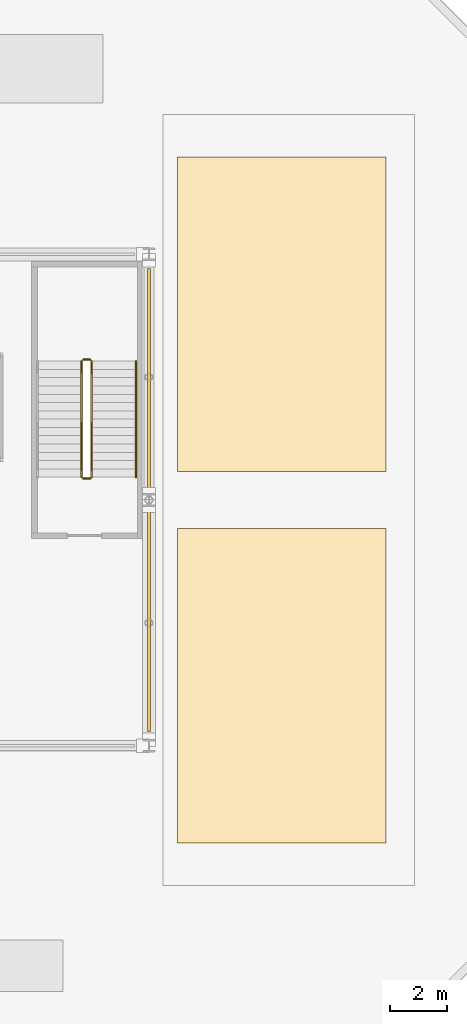
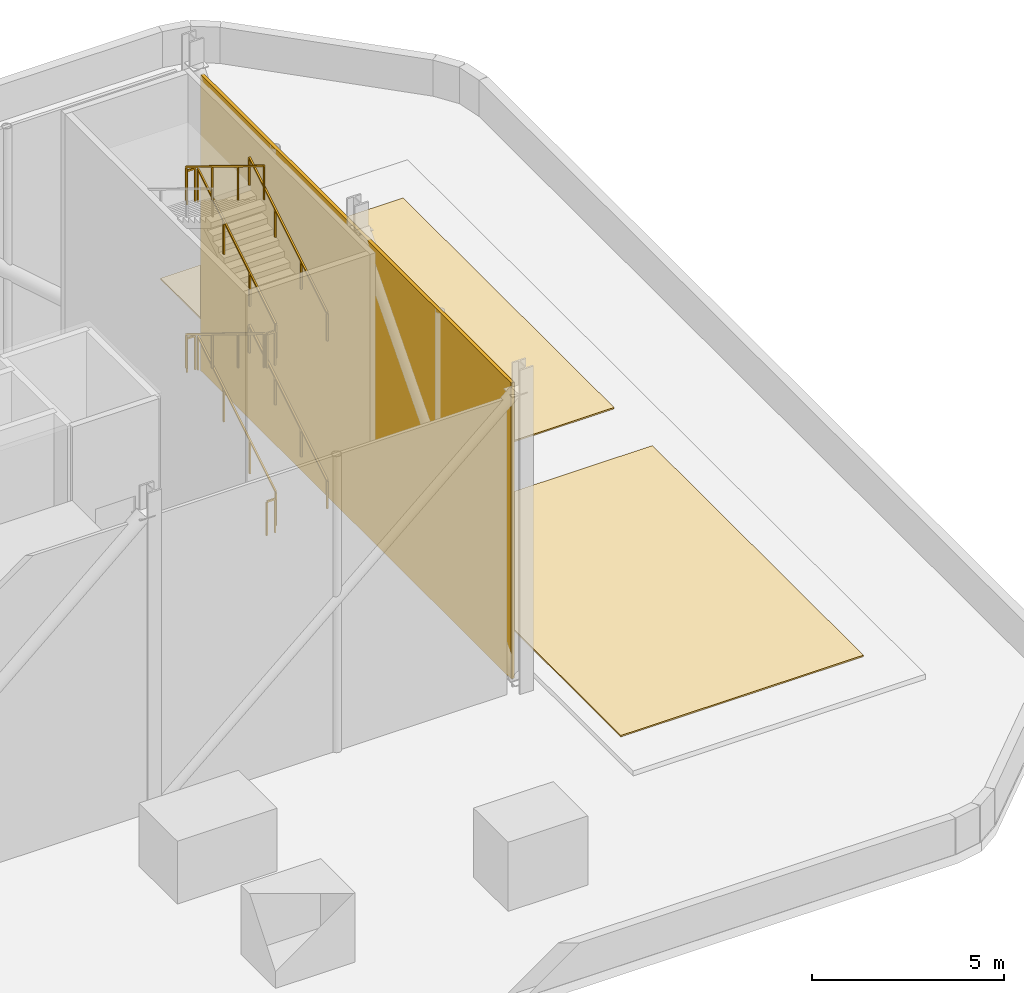
# One storey, part 5 of 6: 10 railings, 2 coverings, 1 shading device.
"""IFC4 building model written with IfcOpenShell, lengths in metres."""

from ifc_helpers import new_model, si_unit, derived_unit, direction, frame, origin, origin_2d, place, context, subcontext, project, spatial, polyline, rectangle, outline, extrude, material, layer, layer_set, type_object, element, save


model = new_model("IFC4")

# Units and contexts
model_context = context("Model", 3, precision=1e-05, world=origin(), true_north=direction((0.0, 1.0)))
body_context = subcontext(model_context, "Body", "Model", "MODEL_VIEW")
ifc_project = project(units=[si_unit("LENGTHUNIT", "METRE"), si_unit("AREAUNIT", "SQUARE_METRE"), si_unit("VOLUMEUNIT", "CUBIC_METRE"), si_unit("PLANEANGLEUNIT", "RADIAN"), si_unit("MASSUNIT", "GRAM", prefix="KILO"), derived_unit("THERMALTRANSMITTANCEUNIT", [(si_unit("POWERUNIT", "WATT"), 1), (si_unit("LENGTHUNIT", "METRE"), -2), (si_unit("THERMODYNAMICTEMPERATUREUNIT", "KELVIN"), -1)])], contexts=[model_context])

# Site, building, storey
site_placement = place(None, origin())
site = spatial("IfcSite", under=ifc_project, at=site_placement, CompositionType="ELEMENT")
building_placement = place(site_placement, origin())
building = spatial("IfcBuilding", under=site, at=building_placement, Name="Koralith Skygarden Medical Center", CompositionType="ELEMENT")
storey_placement = place(building_placement, frame((0.0, 0.0, 298.97998046875)))
storey = spatial("IfcBuildingStorey", under=building, at=storey_placement, Name="RF", CompositionType="ELEMENT", Elevation=298.97998046875)

# Coverings
ifc_material_1 = material(Name="EPDM Membrane Roofing")
ifc_layer_1 = layer(ifc_material_1, 0.044921875)
ifc_layer_set_1 = layer_set([ifc_layer_1], Name="EPDM Membrane Roofing")
covering_type = type_object("IfcCoveringType", Name="Crown Inverted Membrane Roofing 45", PredefinedType="ROOFING", material=ifc_layer_set_1)
covering_1_placement = place(storey_placement, frame((0.0, 0.0, 0.159912109375)))
element("IfcCovering", 1, at=covering_1_placement, inside=storey, type_object=covering_type, Name="RF Crown Membrane Roofing Sector 2-1", PredefinedType="ROOFING", context=body_context, shape_type="SweptSolid", body=[
    extrude(outline(polyline([(49.199951171875, 13.89990234375), (56.5, 13.89990234375), (56.5, 24.89990234375), (49.199951171875, 24.89990234375), (49.199951171875, 13.89990234375)])), origin(), (0.0, 0.0, 1.0), 0.045166015625),
])
covering_2_placement = place(storey_placement, frame((0.0, 0.0, 0.159912109375)))
element("IfcCovering", 2, at=covering_2_placement, inside=storey, type_object=covering_type, Name="RF Crown Membrane Roofing Sector 2-2", PredefinedType="ROOFING", context=body_context, shape_type="SweptSolid", body=[
    extrude(outline(polyline([(49.199951171875, 26.89990234375), (56.5, 26.89990234375), (56.5, 37.89990234375), (49.199951171875, 37.89990234375), (49.199951171875, 26.89990234375)])), origin(), (0.0, 0.0, 1.0), 0.045166015625),
])

# Shading device
ifc_material_2 = material(Name="Aluminium 6063-T6", Category="aluminium")
ifc_layer_2 = layer(ifc_material_2, 0.10009765625)
ifc_layer_set_2 = layer_set([ifc_layer_2], Name="Aluminium 6063-T6")
shading_device_type = type_object("IfcShadingDeviceType", Name="Crown Mechanical Enclosure Screen Panel", PredefinedType="USERDEFINED", material=ifc_layer_set_2)
shading_device_placement = place(storey_placement, frame((48.199951171875, 25.89990234375, 0.0), z_axis=(0.0, 0.0, 1.0), x_axis=(0.0, 1.0, 0.0)))
element("IfcShadingDevice", 3, at=shading_device_placement, inside=storey, type_object=shading_device_type, Name="RF Crown Mechanical Screen E", ObjectType="PLANT SCREEN", PredefinedType="USERDEFINED", context=body_context, shape_type="SweptSolid", body=[
    extrude(rectangle(XDim=16.199951171875, YDim=0.10009765625, at=origin_2d()), origin(), (0.0, 0.0, 1.0), 9.419921875),
])

# Railings
ifc_material_3 = material(Name="Steel ASTM A500 Grade C", Category="steel")
railing_type_1 = type_object("IfcRailingType", Name="Stair Flight Tubular Handrail 920", PredefinedType="HANDRAIL", material=ifc_material_3)
railing_1_placement = place(storey_placement, frame((47.75, 26.699951171875, 0.177734375)))
element("IfcRailing", 4, at=railing_1_placement, inside=storey, type_object=railing_type_1, Name="RF ST2 stair handrail 1", PredefinedType="HANDRAIL", context=body_context, shape_type="SweptSolid", body=[
    extrude(rectangle(XDim=0.050048828125, YDim=0.050048828125, at=origin_2d()), frame((0.0, 0.001708984375, 0.89599609375), z_axis=(0.0, 0.852477456588, 0.522763986909), x_axis=(-1.0, 0.0, 0.0)), (0.0, 0.0, 1.0), 4.758544921875),
    extrude(rectangle(XDim=0.0419921875, YDim=0.0419921875, at=origin_2d()), origin(), (0.0, 0.0, 1.0), 0.867919921875),
    extrude(rectangle(XDim=0.0419921875, YDim=0.0419921875, at=origin_2d()), frame((0.0, 1.353271484375, 0.829833984375)), (0.0, 0.0, 1.0), 0.867919921875),
    extrude(rectangle(XDim=0.0419921875, YDim=0.0419921875, at=origin_2d()), frame((0.0, 2.706787109375, 1.659912109375)), (0.0, 0.0, 1.0), 0.867919921875),
    extrude(rectangle(XDim=0.0419921875, YDim=0.0419921875, at=origin_2d()), frame((0.0, 4.06005859375, 2.48974609375)), (0.0, 0.0, 1.0), 0.867919921875),
])
railing_2_placement = place(storey_placement, frame((47.75, 26.699951171875, 5.512939453125)))
element("IfcRailing", 5, at=railing_2_placement, inside=storey, type_object=railing_type_1, Name="RF ST2 stair handrail 3", PredefinedType="HANDRAIL", context=body_context, shape_type="SweptSolid", body=[
    extrude(rectangle(XDim=0.050048828125, YDim=0.050048828125, at=origin_2d()), frame((0.0, 0.001708984375, 0.89599609375), z_axis=(0.0, 0.852500300758, 0.522726732822), x_axis=(-1.0, 0.0, 0.0)), (0.0, 0.0, 1.0), 4.758544921875),
    extrude(rectangle(XDim=0.0419921875, YDim=0.0419921875, at=origin_2d()), origin(), (0.0, 0.0, 1.0), 0.867919921875),
    extrude(rectangle(XDim=0.0419921875, YDim=0.0419921875, at=origin_2d()), frame((0.0, 1.353271484375, 0.829833984375)), (0.0, 0.0, 1.0), 0.867919921875),
    extrude(rectangle(XDim=0.0419921875, YDim=0.0419921875, at=origin_2d()), frame((0.0, 2.706787109375, 1.65966796875)), (0.0, 0.0, 1.0), 0.867919921875),
    extrude(rectangle(XDim=0.0419921875, YDim=0.0419921875, at=origin_2d()), frame((0.0, 4.06005859375, 2.489501953125)), (0.0, 0.0, 1.0), 0.867919921875),
])
railing_type_2 = type_object("IfcRailingType", Name="Stair Well Safety Guardrail 1100", PredefinedType="GUARDRAIL", material=ifc_material_3)
railing_3_placement = place(storey_placement, frame((46.199951171875, 26.699951171875, 0.177734375)))
element("IfcRailing", 6, at=railing_3_placement, inside=storey, type_object=railing_type_2, Name="RF ST2 stair guard 1", PredefinedType="GUARDRAIL", context=body_context, shape_type="SweptSolid", body=[
    extrude(rectangle(XDim=0.050048828125, YDim=0.050048828125, at=origin_2d()), frame((0.0, 0.001708984375, 1.076171875), z_axis=(0.0, 0.852477456588, 0.522763986909), x_axis=(-1.0, 0.0, 0.0)), (0.0, 0.0, 1.0), 4.758544921875),
    extrude(rectangle(XDim=0.0419921875, YDim=0.0419921875, at=origin_2d()), origin(), (0.0, 0.0, 1.0), 1.048095703125),
    extrude(rectangle(XDim=0.0419921875, YDim=0.0419921875, at=origin_2d()), frame((0.0, 1.353271484375, 0.829833984375)), (0.0, 0.0, 1.0), 1.048095703125),
    extrude(rectangle(XDim=0.0419921875, YDim=0.0419921875, at=origin_2d()), frame((0.0, 2.706787109375, 1.659912109375)), (0.0, 0.0, 1.0), 1.048095703125),
    extrude(rectangle(XDim=0.0419921875, YDim=0.0419921875, at=origin_2d()), frame((0.0, 4.06005859375, 2.48974609375)), (0.0, 0.0, 1.0), 1.048095703125),
])
railing_4_placement = place(storey_placement, frame((46.14990234375, 30.81005859375, 2.66748046875)))
element("IfcRailing", 7, at=railing_4_placement, inside=storey, type_object=railing_type_2, Name="RF ST2 stair guard 2", PredefinedType="GUARDRAIL", context=body_context, shape_type="SweptSolid", body=[
    extrude(rectangle(XDim=0.050048828125, YDim=0.050048828125, at=origin_2d()), frame((-0.001953125, 0.0, 1.0751953125), z_axis=(-1.0, 0.0, 0.0), x_axis=(0.0, -1.0, 0.0)), (0.0, 0.0, 1.0), 0.24609375),
    extrude(rectangle(XDim=0.0419921875, YDim=0.0419921875, at=origin_2d()), origin(), (0.0, 0.0, 1.0), 1.048095703125),
    extrude(rectangle(XDim=0.0419921875, YDim=0.0419921875, at=origin_2d()), frame((-0.25, 0.0, 0.0)), (0.0, 0.0, 1.0), 1.048095703125),
])
railing_5_placement = place(storey_placement, frame((45.85009765625, 30.760009765625, 2.845458984375)))
element("IfcRailing", 8, at=railing_5_placement, inside=storey, type_object=railing_type_2, Name="RF ST2 stair guard 3", PredefinedType="GUARDRAIL", context=body_context, shape_type="SweptSolid", body=[
    extrude(rectangle(XDim=0.050048828125, YDim=0.050048828125, at=origin_2d()), frame((0.0, -0.001708984375, 1.076171875), z_axis=(0.0, -0.852500300758, 0.522726732822), x_axis=(1.0, 0.0, 0.0)), (0.0, 0.0, 1.0), 4.758544921875),
    extrude(rectangle(XDim=0.0419921875, YDim=0.0419921875, at=origin_2d()), origin(), (0.0, 0.0, 1.0), 1.048095703125),
    extrude(rectangle(XDim=0.0419921875, YDim=0.0419921875, at=origin_2d()), frame((0.0, -1.353271484375, 0.829833984375)), (0.0, 0.0, 1.0), 1.048095703125),
    extrude(rectangle(XDim=0.0419921875, YDim=0.0419921875, at=origin_2d()), frame((0.0, -2.706787109375, 1.65966796875)), (0.0, 0.0, 1.0), 1.048095703125),
    extrude(rectangle(XDim=0.0419921875, YDim=0.0419921875, at=origin_2d()), frame((0.0, -4.06005859375, 2.489501953125)), (0.0, 0.0, 1.0), 1.048095703125),
])
railing_6_placement = place(storey_placement, frame((46.14990234375, 26.64990234375, 5.3349609375)))
element("IfcRailing", 9, at=railing_6_placement, inside=storey, type_object=railing_type_2, Name="RF ST2 stair guard 4", PredefinedType="GUARDRAIL", context=body_context, shape_type="SweptSolid", body=[
    extrude(rectangle(XDim=0.050048828125, YDim=0.050048828125, at=origin_2d()), frame((-0.001953125, 0.0, 1.0751953125), z_axis=(-1.0, 0.0, 0.0), x_axis=(0.0, -1.0, 0.0)), (0.0, 0.0, 1.0), 0.24609375),
    extrude(rectangle(XDim=0.0419921875, YDim=0.0419921875, at=origin_2d()), origin(), (0.0, 0.0, 1.0), 1.048095703125),
    extrude(rectangle(XDim=0.0419921875, YDim=0.0419921875, at=origin_2d()), frame((-0.25, 0.0, 0.0)), (0.0, 0.0, 1.0), 1.048095703125),
])
railing_7_placement = place(storey_placement, frame((46.199951171875, 26.699951171875, 5.512939453125)))
element("IfcRailing", 10, at=railing_7_placement, inside=storey, type_object=railing_type_2, Name="RF ST2 stair guard 5", PredefinedType="GUARDRAIL", context=body_context, shape_type="SweptSolid", body=[
    extrude(rectangle(XDim=0.050048828125, YDim=0.050048828125, at=origin_2d()), frame((0.0, 0.001708984375, 1.076171875), z_axis=(0.0, 0.852500300758, 0.522726732822), x_axis=(-1.0, 0.0, 0.0)), (0.0, 0.0, 1.0), 4.758544921875),
    extrude(rectangle(XDim=0.0419921875, YDim=0.0419921875, at=origin_2d()), origin(), (0.0, 0.0, 1.0), 1.048095703125),
    extrude(rectangle(XDim=0.0419921875, YDim=0.0419921875, at=origin_2d()), frame((0.0, 1.353271484375, 0.829833984375)), (0.0, 0.0, 1.0), 1.048095703125),
    extrude(rectangle(XDim=0.0419921875, YDim=0.0419921875, at=origin_2d()), frame((0.0, 2.706787109375, 1.65966796875)), (0.0, 0.0, 1.0), 1.048095703125),
    extrude(rectangle(XDim=0.0419921875, YDim=0.0419921875, at=origin_2d()), frame((0.0, 4.06005859375, 2.489501953125)), (0.0, 0.0, 1.0), 1.048095703125),
])
railing_8_placement = place(storey_placement, frame((46.14990234375, 30.81005859375, 8.00244140625)))
element("IfcRailing", 11, at=railing_8_placement, inside=storey, type_object=railing_type_2, Name="RF ST2 stair guard 6", PredefinedType="GUARDRAIL", context=body_context, shape_type="SweptSolid", body=[
    extrude(rectangle(XDim=0.050048828125, YDim=0.050048828125, at=origin_2d()), frame((-0.001953125, 0.0, 1.0751953125), z_axis=(-1.0, 0.0, 0.0), x_axis=(0.0, -1.0, 0.0)), (0.0, 0.0, 1.0), 0.24609375),
    extrude(rectangle(XDim=0.0419921875, YDim=0.0419921875, at=origin_2d()), origin(), (0.0, 0.0, 1.0), 1.048095703125),
    extrude(rectangle(XDim=0.0419921875, YDim=0.0419921875, at=origin_2d()), frame((-0.25, 0.0, 0.0)), (0.0, 0.0, 1.0), 1.048095703125),
])
railing_9_placement = place(storey_placement, frame((45.85009765625, 30.760009765625, 8.180419921875)))
element("IfcRailing", 12, at=railing_9_placement, inside=storey, type_object=railing_type_2, Name="RF ST2 stair guard 7", PredefinedType="GUARDRAIL", context=body_context, shape_type="SweptSolid", body=[
    extrude(rectangle(XDim=0.050048828125, YDim=0.050048828125, at=origin_2d()), frame((0.0, -0.001708984375, 1.076171875), z_axis=(0.0, -0.852500300758, 0.522726732822), x_axis=(1.0, 0.0, 0.0)), (0.0, 0.0, 1.0), 4.758544921875),
    extrude(rectangle(XDim=0.0419921875, YDim=0.0419921875, at=origin_2d()), origin(), (0.0, 0.0, 1.0), 1.048095703125),
    extrude(rectangle(XDim=0.0419921875, YDim=0.0419921875, at=origin_2d()), frame((0.0, -1.353271484375, 0.829833984375)), (0.0, 0.0, 1.0), 1.048095703125),
    extrude(rectangle(XDim=0.0419921875, YDim=0.0419921875, at=origin_2d()), frame((0.0, -2.706787109375, 1.65966796875)), (0.0, 0.0, 1.0), 1.048095703125),
    extrude(rectangle(XDim=0.0419921875, YDim=0.0419921875, at=origin_2d()), frame((0.0, -4.06005859375, 2.489501953125)), (0.0, 0.0, 1.0), 1.048095703125),
])
railing_10_placement = place(storey_placement, frame((46.14990234375, 26.64990234375, 0.0)))
element("IfcRailing", 13, at=railing_10_placement, inside=storey, type_object=railing_type_2, Name="RF ST2 stair guard 8", PredefinedType="GUARDRAIL", context=body_context, shape_type="SweptSolid", body=[
    extrude(rectangle(XDim=0.050048828125, YDim=0.050048828125, at=origin_2d()), frame((-0.001953125, 0.0, 1.0751953125), z_axis=(-1.0, 0.0, 0.0), x_axis=(0.0, -1.0, 0.0)), (0.0, 0.0, 1.0), 0.24609375),
    extrude(rectangle(XDim=0.0419921875, YDim=0.0419921875, at=origin_2d()), origin(), (0.0, 0.0, 1.0), 1.048095703125),
    extrude(rectangle(XDim=0.0419921875, YDim=0.0419921875, at=origin_2d()), frame((-0.25, 0.0, 0.0)), (0.0, 0.0, 1.0), 1.048095703125),
])

save(model, "model.ifc")
